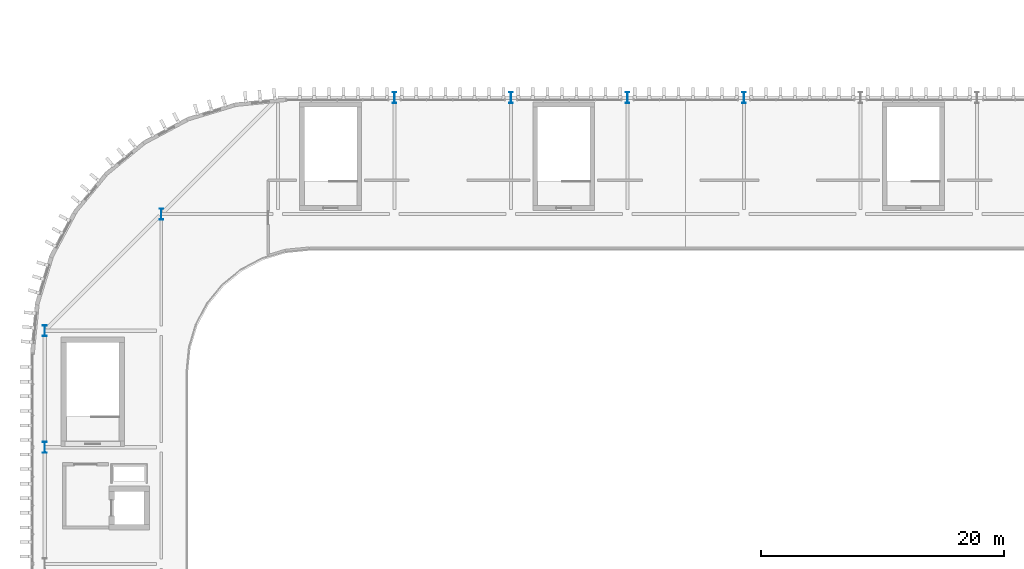
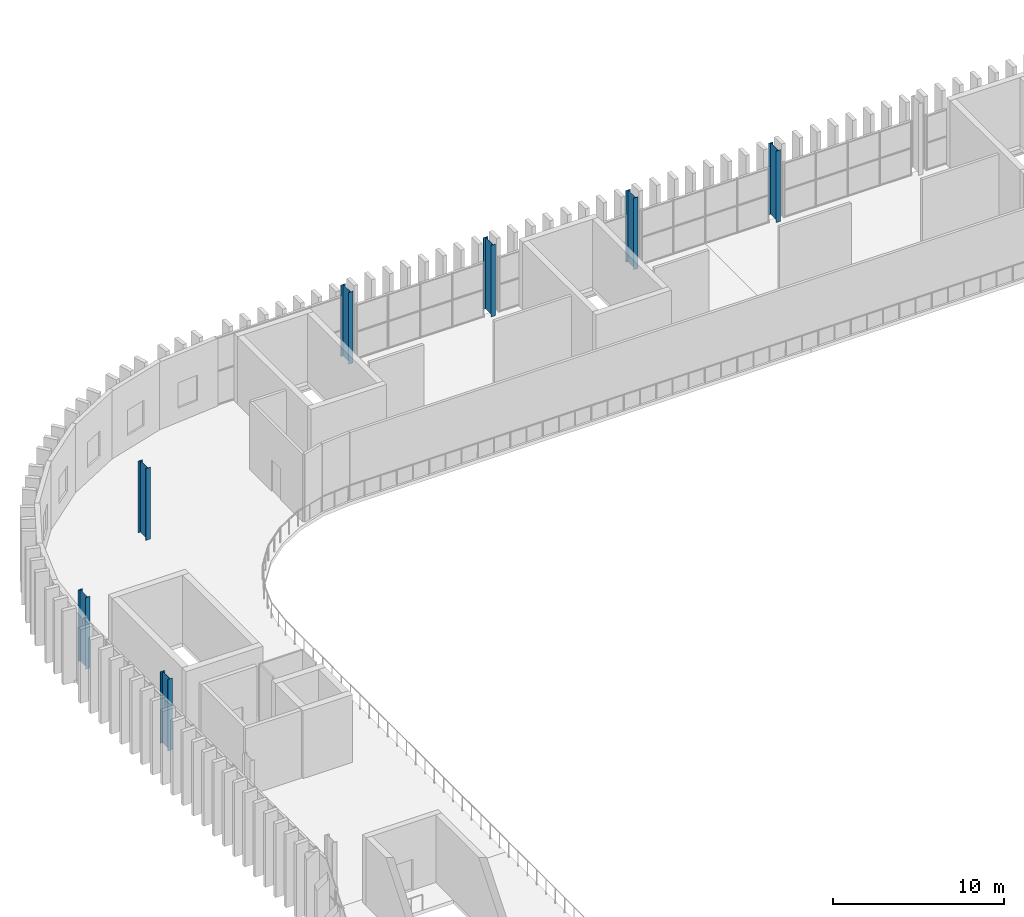
# One storey, part 3 of 45: 7 columns.
"""IFC4 building model written with IfcOpenShell, lengths in metres."""

from ifc_helpers import new_model, si_unit, direction, frame, origin, origin_2d, place, context, subcontext, project, spatial, i_section, extrude, material, material_profile, profile_set, type_object, element, save


model = new_model("IFC4")

# Units and contexts
model_context = context("Model", 3, precision=1e-05, world=origin(), true_north=direction((0.0, 1.0)))
body_context = subcontext(model_context, "Body", "Model", "MODEL_VIEW")
ifc_project = project(units=[si_unit("LENGTHUNIT", "METRE"), si_unit("AREAUNIT", "SQUARE_METRE"), si_unit("VOLUMEUNIT", "CUBIC_METRE"), si_unit("PLANEANGLEUNIT", "RADIAN"), si_unit("MASSUNIT", "GRAM", prefix="KILO")], contexts=[model_context])

# Site, building, storey
site_placement = place(None, origin())
site = spatial("IfcSite", under=ifc_project, at=site_placement, CompositionType="ELEMENT")
building_placement = place(site_placement, origin())
building = spatial("IfcBuilding", under=site, at=building_placement, Name="Caelomonte Colonnade Arena", CompositionType="ELEMENT")
storey_placement = place(building_placement, frame((0.0, 0.0, 23.10009765625)))
storey = spatial("IfcBuildingStorey", under=building, at=storey_placement, Name="L05", CompositionType="ELEMENT", Elevation=23.10009765625)

# Columns
ifc_material = material(Name="Wide-flange steel ASTM A992 Grade 50", Category="steel")
ifc_material_profile = material_profile(ifc_material, i_section(OverallWidth=0.3046875, OverallDepth=0.914306640625, WebThickness=0.0166015625, FlangeThickness=0.02587890625, FilletRadius=0.020263671875, at=origin_2d()), Name="W36X160")
ifc_profile_set = profile_set([ifc_material_profile], Name="Wide-flange steel ASTM A992 Grade 50")
column_type = type_object("IfcColumnType", Name="STR-COL-W36C", PredefinedType="COLUMN", material=ifc_profile_set)
for number, where, z_axis, x_axis, name in (
    (1, (57.60009765625, 86.39990234375, 0.0), (0.0, 0.0, 1.0), (1.0, 0.0, 0.0), "L05 column (57.6, 86.4)"),
    (2, (57.60009765625, 96.0, 0.0), (0.0, 0.0, 1.0), (1.0, 0.0, 0.0), "L05 column (57.6, 96.0)"),
    (3, (67.199951171875, 105.60009765625, 0.0), (0.0, 0.0, 1.0), (1.0, 0.0, 0.0), "L05 column (67.2, 105.6)"),
    (4, (86.39990234375, 115.199951171875, 0.0), (0.0, 0.0, 1.0), (1.0, 0.0, 0.0), "L05 column (86.4, 115.2)"),
    (5, (96.0, 115.199951171875, 0.0), (0.0, 0.0, 1.0), (1.0, 0.0, 0.0), "L05 column (96.0, 115.2)"),
    (6, (105.60009765625, 115.199951171875, 0.0), (0.0, 0.0, 1.0), (1.0, 0.0, 0.0), "L05 column (105.6, 115.2)"),
    (7, (115.199951171875, 115.199951171875, 0.0), (0.0, 0.0, 1.0), (1.0, 0.0, 0.0), "L05 column (115.2, 115.2)"),
):
    element("IfcColumn", number, at=place(storey_placement, frame(where, z_axis=z_axis, x_axis=x_axis)), inside=storey, type_object=column_type, Name=name, PredefinedType="COLUMN", context=body_context, shape_type="SweptSolid", body=[
        extrude(i_section(OverallWidth=0.3046875, OverallDepth=0.914306640625, WebThickness=0.0166015625, FlangeThickness=0.02587890625, FilletRadius=0.020263671875, at=origin_2d()), origin(), (0.0, 0.0, 1.0), 5.099853515625),
    ])

save(model, "model.ifc")
